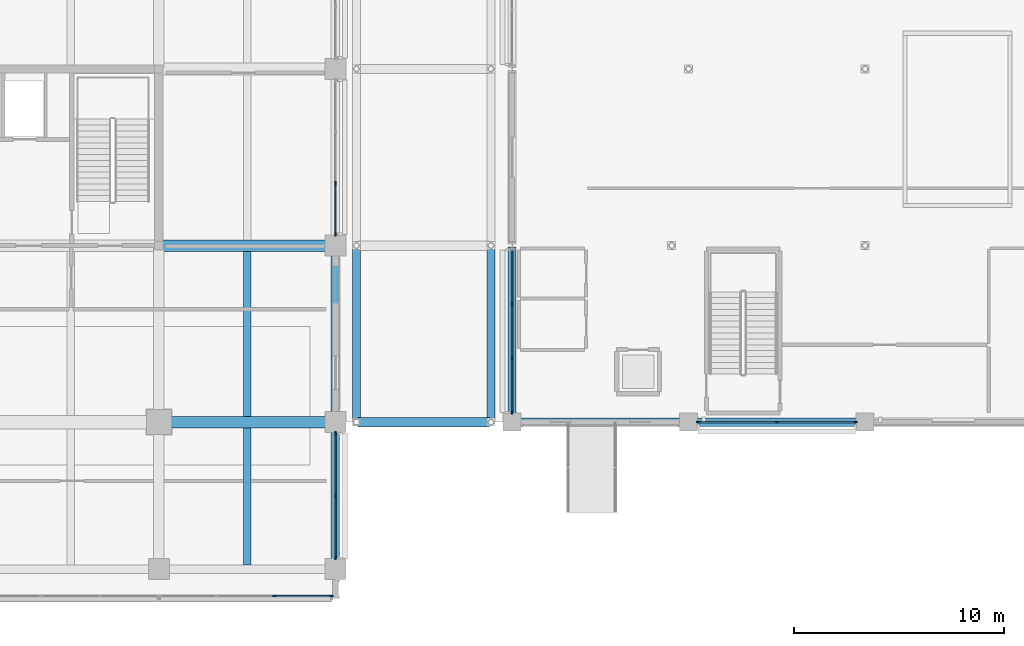
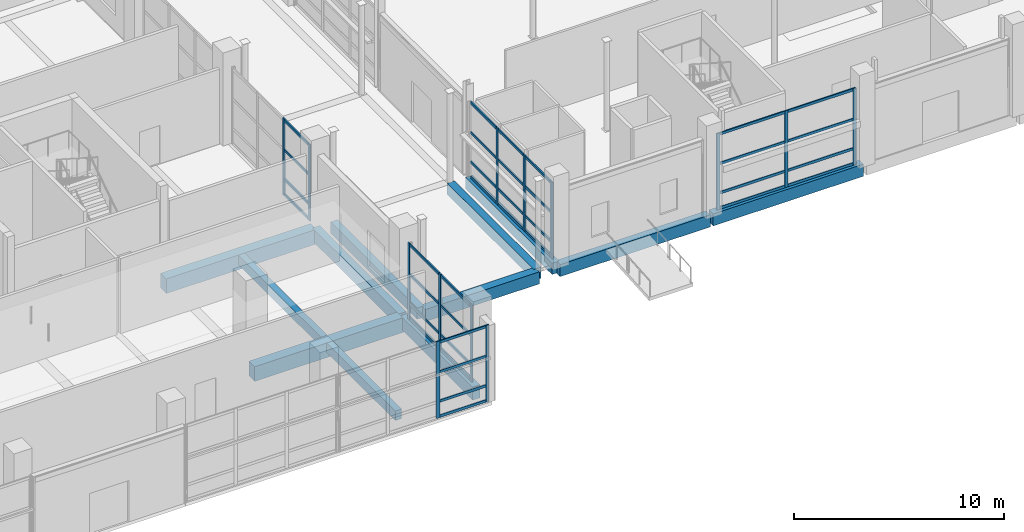
# One storey, part 31 of 140: 49 members, 12 beams, 5 elements without a shape of their own.
"""IFC4 building model written with IfcOpenShell, lengths in metres."""

from ifc_helpers import new_model, si_unit, direction, frame, origin, origin_2d, place, context, subcontext, project, spatial, rectangle, extrude, material, layer, layer_set, material_profile, profile_set, type_object, element, aggregate, save


model = new_model("IFC4")

# Units and contexts
model_context = context("Model", 3, precision=1e-05, world=origin(), true_north=direction((0.0, 1.0)))
body_context = subcontext(model_context, "Body", "Model", "MODEL_VIEW")
ifc_project = project(units=[si_unit("LENGTHUNIT", "METRE"), si_unit("AREAUNIT", "SQUARE_METRE"), si_unit("VOLUMEUNIT", "CUBIC_METRE"), si_unit("PLANEANGLEUNIT", "RADIAN"), si_unit("MASSUNIT", "GRAM", prefix="KILO")], contexts=[model_context])

# Site, building, storey
site_placement = place(None, origin())
site = spatial("IfcSite", under=ifc_project, at=site_placement, CompositionType="ELEMENT")
building_placement = place(site_placement, origin())
building = spatial("IfcBuilding", under=site, at=building_placement, Name="Telukmera Botanical Conservatory", CompositionType="ELEMENT")
storey_placement = place(building_placement, origin())
storey = spatial("IfcBuildingStorey", under=building, at=storey_placement, Name="L00", CompositionType="ELEMENT", Elevation=0.0)

# Beams
ifc_material_1 = material(Name="Concrete C40/50", Category="concrete")
ifc_material_profile_1 = material_profile(ifc_material_1, rectangle(XDim=0.449951171875, YDim=0.699951171875, at=origin_2d()), Name="RC 450x700")
ifc_profile_set_1 = profile_set([ifc_material_profile_1], Name="Concrete C40/50")
beam_type_1 = type_object("IfcBeamType", Name="Beam_B15", PredefinedType="BEAM", material=ifc_profile_set_1)
beam_1_placement = place(storey_placement, frame((110.280029296875, 17.60009765625, -0.35009765625), z_axis=(1.0, 0.0, 0.0), x_axis=(0.0, 1.0, 0.0)))
element("IfcBeam", 1, at=beam_1_placement, inside=storey, type_object=beam_type_1, Name="East Link Deck Transverse Beam L00", PredefinedType="BEAM", context=body_context, shape_type="SweptSolid", body=[
    extrude(rectangle(XDim=0.449951171875, YDim=0.699951171875, at=origin_2d()), origin(), (0.0, 0.0, 1.0), 6.239990234375),
])
ifc_material_profile_2 = material_profile(ifc_material_1, rectangle(XDim=0.35009765625, YDim=0.550048828125, at=origin_2d()), Name="RC 350x550")
ifc_profile_set_2 = profile_set([ifc_material_profile_2], Name="Concrete C40/50")
beam_type_2 = type_object("IfcBeamType", Name="Beam_B21", PredefinedType="JOIST", material=ifc_profile_set_2)
beam_2_placement = place(storey_placement, frame((105.0, 10.800048828125, -0.27490234375), z_axis=(0.0, 1.0, 0.0), x_axis=(-1.0, 0.0, 0.0)))
element("IfcBeam", 2, at=beam_2_placement, inside=storey, type_object=beam_type_2, Name="Tower Secondary Floor Joist L00", PredefinedType="JOIST", context=body_context, shape_type="SweptSolid", body=[
    extrude(rectangle(XDim=0.35009765625, YDim=0.550048828125, at=origin_2d()), origin(), (0.0, 0.0, 1.0), 6.52490234375),
])
beam_3_placement = place(storey_placement, frame((105.0, 17.875, -0.27490234375), z_axis=(0.0, 1.0, 0.0), x_axis=(-1.0, 0.0, 0.0)))
element("IfcBeam", 3, at=beam_3_placement, inside=storey, type_object=beam_type_2, Name="Tower Secondary Floor Joist L00", PredefinedType="JOIST", context=body_context, shape_type="SweptSolid", body=[
    extrude(rectangle(XDim=0.35009765625, YDim=0.550048828125, at=origin_2d()), origin(), (0.0, 0.0, 1.0), 7.85009765625),
])
ifc_material_profile_3 = material_profile(ifc_material_1, rectangle(XDim=0.550048828125, YDim=0.85009765625, at=origin_2d()), Name="RC 550x850")
ifc_profile_set_3 = profile_set([ifc_material_profile_3], Name="Concrete C40/50")
beam_type_3 = type_object("IfcBeamType", Name="Beam_B4", PredefinedType="BEAM", material=ifc_profile_set_3)
for number, where, z_axis, x_axis, name in (
    (4, (100.8798828125, 17.60009765625, -0.425048828125), (1.0, 0.0, 0.0), (0.0, 1.0, 0.0), "Tower Grid Beam L00"),
    (5, (100.8798828125, 26.0, -0.425048828125), (1.0, 0.0, 0.0), (0.0, 1.0, 0.0), "Tower Grid Beam L00"),
):
    element("IfcBeam", number, at=place(storey_placement, frame(where, z_axis=z_axis, x_axis=x_axis)), inside=storey, type_object=beam_type_3, Name=name, PredefinedType="BEAM", context=body_context, shape_type="SweptSolid", body=[
        extrude(rectangle(XDim=0.550048828125, YDim=0.85009765625, at=origin_2d()), origin(), (0.0, 0.0, 1.0), 8.240234375),
    ])
ifc_material_profile_4 = material_profile(ifc_material_1, rectangle(XDim=0.39990234375, YDim=0.699951171875, at=origin_2d()), Name="RC 400x700")
ifc_profile_set_4 = profile_set([ifc_material_profile_4], Name="Concrete C40/50")
beam_type_4 = type_object("IfcBeamType", Name="Beam_B7", PredefinedType="BEAM", material=ifc_profile_set_4)
for number, where, z_axis, x_axis, name in (
    (6, (117.679931640625, 17.60009765625, -0.35009765625), (1.0, 0.0, 0.0), (0.0, 1.0, 0.0), "Conservatory Beam beam:V1:L00:gx:176:1176"),
    (7, (126.080078125, 17.60009765625, -0.35009765625), (1.0, 0.0, 0.0), (0.0, 1.0, 0.0), "Conservatory Beam beam:V1:L00:gx:176:1260"),
):
    element("IfcBeam", number, at=place(storey_placement, frame(where, z_axis=z_axis, x_axis=x_axis)), inside=storey, type_object=beam_type_4, Name=name, PredefinedType="BEAM", context=body_context, shape_type="SweptSolid", body=[
        extrude(rectangle(XDim=0.39990234375, YDim=0.699951171875, at=origin_2d()), origin(), (0.0, 0.0, 1.0), 8.239990234375),
    ])
ifc_material_profile_5 = material_profile(ifc_material_1, rectangle(XDim=0.39990234375, YDim=0.64990234375, at=origin_2d()), Name="RC 400x650")
ifc_profile_set_5 = profile_set([ifc_material_profile_5], Name="Concrete C40/50")
beam_type_5 = type_object("IfcBeamType", Name="Beam_B8", PredefinedType="BEAM", material=ifc_profile_set_5)
for number, where, z_axis, x_axis, name in (
    (8, (110.199951171875, 17.679931640625, -0.324951171875), (0.0, 1.0, 0.0), (-1.0, 0.0, 0.0), "East Link Deck Girder L00"),
    (9, (116.60009765625, 17.679931640625, -0.324951171875), (0.0, 1.0, 0.0), (-1.0, 0.0, 0.0), "East Link Deck Girder L00"),
    (10, (117.60009765625, 17.679931640625, -0.324951171875), (0.0, 1.0, 0.0), (-1.0, 0.0, 0.0), "Conservatory Beam beam:V1:L00:gy:1176:176"),
):
    element("IfcBeam", number, at=place(storey_placement, frame(where, z_axis=z_axis, x_axis=x_axis)), inside=storey, type_object=beam_type_5, Name=name, PredefinedType="BEAM", context=body_context, shape_type="SweptSolid", body=[
        extrude(rectangle(XDim=0.39990234375, YDim=0.64990234375, at=origin_2d()), origin(), (0.0, 0.0, 1.0), 8.239990234375),
    ])
ifc_material_2 = material(Name="Precast concrete C40/50", Category="concrete")
ifc_material_profile_6 = material_profile(ifc_material_2, rectangle(XDim=0.39990234375, YDim=0.75, at=origin_2d()), Name="PC 400x750")
ifc_profile_set_6 = profile_set([ifc_material_profile_6], Name="Precast concrete C40/50")
beam_type_6 = type_object("IfcBeamType", Name="Beam_SP1", PredefinedType="SPANDREL", material=ifc_profile_set_6)
beam_4_placement = place(storey_placement, frame((109.199951171875, 10.679931640625, -0.375), z_axis=(0.0, 1.0, 0.0), x_axis=(-1.0, 0.0, 0.0)))
element("IfcBeam", 11, at=beam_4_placement, inside=storey, type_object=beam_type_6, Name="Tower Transverse Beam L00", PredefinedType="SPANDREL", context=body_context, shape_type="SweptSolid", body=[
    extrude(rectangle(XDim=0.39990234375, YDim=0.75, at=origin_2d()), origin(), (0.0, 0.0, 1.0), 6.840087890625),
])
beam_5_placement = place(storey_placement, frame((109.199951171875, 17.679931640625, -0.375), z_axis=(0.0, 1.0, 0.0), x_axis=(-1.0, 0.0, 0.0)))
element("IfcBeam", 12, at=beam_5_placement, inside=storey, type_object=beam_type_6, Name="Tower Transverse Beam L00", PredefinedType="SPANDREL", context=body_context, shape_type="SweptSolid", body=[
    extrude(rectangle(XDim=0.39990234375, YDim=0.75, at=origin_2d()), origin(), (0.0, 0.0, 1.0), 8.239990234375),
])

# Curtain wall, members
ifc_material_3 = material(Name="Anodised aluminium 6063-T6", Category="aluminium")
ifc_layer_1 = layer(ifc_material_3, 0.179931640625)
ifc_layer_set_1 = layer_set([ifc_layer_1], Name="Anodised aluminium 6063-T6")
curtain_wall_type_1 = type_object("IfcCurtainWallType", Name="Conservatory Boulevard Unitised Curtain Wall 3600 Mod", PredefinedType="USERDEFINED", material=ifc_layer_set_1)
curtain_wall_1_placement = place(storey_placement, origin())
curtain_wall_1 = element("IfcCurtainWall", 13, at=curtain_wall_1_placement, inside=storey, type_object=curtain_wall_type_1, Name="Unitised Curtain Wall CW01 V1:L00:S2", ObjectType="UNITISED CURTAIN WALL", PredefinedType="USERDEFINED")
ifc_material_profile_7 = material_profile(ifc_material_3, rectangle(XDim=0.070068359375, YDim=0.179931640625, at=origin_2d()), Name="ALU MULL 70x180")
ifc_profile_set_7 = profile_set([ifc_material_profile_7], Name="Anodised aluminium 6063-T6")
member_type_1 = type_object("IfcMemberType", Name="Curtain Wall Extruded Mullion 70x180", PredefinedType="MULLION", material=ifc_profile_set_7)
member_1_placement = place(storey_placement, frame((126.4619140625, 17.60009765625, 0.0), z_axis=(0.0, 0.0, 1.0), x_axis=(0.0, 1.0, 0.0)))
member_1 = element("IfcMember", 14, at=member_1_placement, type_object=member_type_1, Name="CW01 mullion 1", PredefinedType="MULLION", context=body_context, shape_type="SweptSolid", body=[
    extrude(rectangle(XDim=0.070068359375, YDim=0.179931640625, at=origin_2d()), origin(), (0.0, 0.0, 1.0), 4.449951171875),
])
member_2_placement = place(storey_placement, frame((130.199951171875, 17.60009765625, 0.0), z_axis=(0.0, 0.0, 1.0), x_axis=(0.0, 1.0, 0.0)))
member_2 = element("IfcMember", 15, at=member_2_placement, type_object=member_type_1, Name="CW01 mullion 2", PredefinedType="MULLION", context=body_context, shape_type="SweptSolid", body=[
    extrude(rectangle(XDim=0.070068359375, YDim=0.179931640625, at=origin_2d()), origin(), (0.0, 0.0, 1.0), 4.449951171875),
])
member_3_placement = place(storey_placement, frame((133.93798828125, 17.60009765625, 0.0), z_axis=(0.0, 0.0, 1.0), x_axis=(0.0, 1.0, 0.0)))
member_3 = element("IfcMember", 16, at=member_3_placement, type_object=member_type_1, Name="CW01 mullion 3", PredefinedType="MULLION", context=body_context, shape_type="SweptSolid", body=[
    extrude(rectangle(XDim=0.070068359375, YDim=0.179931640625, at=origin_2d()), origin(), (0.0, 0.0, 1.0), 4.449951171875),
])

ifc_layer_2 = layer(ifc_material_3, 0.179931640625)
ifc_layer_set_2 = layer_set([ifc_layer_2], Name="Anodised aluminium 6063-T6")
curtain_wall_type_2 = type_object("IfcCurtainWallType", Name="Conservatory Garden Unitised Curtain Wall 2800 Mod", PredefinedType="USERDEFINED", material=ifc_layer_set_2)
curtain_wall_2_placement = place(storey_placement, origin())
curtain_wall_2 = element("IfcCurtainWall", 17, at=curtain_wall_2_placement, inside=storey, type_object=curtain_wall_type_2, Name="Unitised Curtain Wall CW02 V1:L00:W1", ObjectType="UNITISED CURTAIN WALL", PredefinedType="USERDEFINED")
member_4_placement = place(storey_placement, frame((117.60009765625, 18.06201171875, 0.0), z_axis=(0.0, 0.0, 1.0), x_axis=(-1.0, 0.0, 0.0)))
member_4 = element("IfcMember", 18, at=member_4_placement, type_object=member_type_1, Name="CW02 mullion 1", PredefinedType="MULLION", context=body_context, shape_type="SweptSolid", body=[
    extrude(rectangle(XDim=0.070068359375, YDim=0.179931640625, at=origin_2d()), origin(), (0.0, 0.0, 1.0), 4.449951171875),
])
member_5_placement = place(storey_placement, frame((117.60009765625, 20.62255859375, 0.0), z_axis=(0.0, 0.0, 1.0), x_axis=(-1.0, 0.0, 0.0)))
member_5 = element("IfcMember", 19, at=member_5_placement, type_object=member_type_1, Name="CW02 mullion 2", PredefinedType="MULLION", context=body_context, shape_type="SweptSolid", body=[
    extrude(rectangle(XDim=0.070068359375, YDim=0.179931640625, at=origin_2d()), origin(), (0.0, 0.0, 1.0), 4.449951171875),
])
member_6_placement = place(storey_placement, frame((117.60009765625, 23.21826171875, 0.0), z_axis=(0.0, 0.0, 1.0), x_axis=(-1.0, 0.0, 0.0)))
member_6 = element("IfcMember", 20, at=member_6_placement, type_object=member_type_1, Name="CW02 mullion 3", PredefinedType="MULLION", context=body_context, shape_type="SweptSolid", body=[
    extrude(rectangle(XDim=0.070068359375, YDim=0.179931640625, at=origin_2d()), origin(), (0.0, 0.0, 1.0), 4.449951171875),
])

ifc_layer_3 = layer(ifc_material_3, 0.179931640625)
ifc_layer_set_3 = layer_set([ifc_layer_3], Name="Anodised aluminium 6063-T6")
curtain_wall_type_3 = type_object("IfcCurtainWallType", Name="Tower Boulevard Podium Hall Curtain Wall", PredefinedType="USERDEFINED", material=ifc_layer_set_3)
curtain_wall_3_placement = place(storey_placement, origin())
curtain_wall_3 = element("IfcCurtainWall", 21, at=curtain_wall_3_placement, inside=storey, type_object=curtain_wall_type_3, Name="Unitised Curtain Wall CW12 V4:L00:S7", ObjectType="UNITISED CURTAIN WALL", PredefinedType="USERDEFINED")
member_7_placement = place(storey_placement, frame((106.29931640625, 9.320068359375, 0.0), z_axis=(0.0, 0.0, 1.0), x_axis=(0.0, 1.0, 0.0)))
member_7 = element("IfcMember", 22, at=member_7_placement, type_object=member_type_1, Name="CW12 mullion 3", PredefinedType="MULLION", context=body_context, shape_type="SweptSolid", body=[
    extrude(rectangle(XDim=0.070068359375, YDim=0.179931640625, at=origin_2d()), origin(), (0.0, 0.0, 1.0), 4.449951171875),
])
member_8_placement = place(storey_placement, frame((109.012939453125, 9.320068359375, 0.0), z_axis=(0.0, 0.0, 1.0), x_axis=(0.0, 1.0, 0.0)))
member_8 = element("IfcMember", 23, at=member_8_placement, type_object=member_type_1, Name="CW12 mullion 4", PredefinedType="MULLION", context=body_context, shape_type="SweptSolid", body=[
    extrude(rectangle(XDim=0.070068359375, YDim=0.179931640625, at=origin_2d()), origin(), (0.0, 0.0, 1.0), 4.449951171875),
])

curtain_wall_4_placement = place(storey_placement, origin())
curtain_wall_4 = element("IfcCurtainWall", 24, at=curtain_wall_4_placement, inside=storey, type_object=curtain_wall_type_3, Name="Unitised Curtain Wall CW12 V4:L00:E1", ObjectType="UNITISED CURTAIN WALL", PredefinedType="USERDEFINED")
member_9_placement = place(storey_placement, frame((109.199951171875, 11.136962890625, 0.0), z_axis=(0.0, 0.0, 1.0), x_axis=(-1.0, 0.0, 0.0)))
member_9 = element("IfcMember", 25, at=member_9_placement, type_object=member_type_1, Name="CW12 mullion 1", PredefinedType="MULLION", context=body_context, shape_type="SweptSolid", body=[
    extrude(rectangle(XDim=0.070068359375, YDim=0.179931640625, at=origin_2d()), origin(), (0.0, 0.0, 1.0), 4.449951171875),
])
member_10_placement = place(storey_placement, frame((109.199951171875, 14.10009765625, 0.0), z_axis=(0.0, 0.0, 1.0), x_axis=(-1.0, 0.0, 0.0)))
member_10 = element("IfcMember", 26, at=member_10_placement, type_object=member_type_1, Name="CW12 mullion 2", PredefinedType="MULLION", context=body_context, shape_type="SweptSolid", body=[
    extrude(rectangle(XDim=0.070068359375, YDim=0.179931640625, at=origin_2d()), origin(), (0.0, 0.0, 1.0), 4.449951171875),
])
member_11_placement = place(storey_placement, frame((109.199951171875, 17.06298828125, 0.0), z_axis=(0.0, 0.0, 1.0), x_axis=(-1.0, 0.0, 0.0)))
member_11 = element("IfcMember", 27, at=member_11_placement, type_object=member_type_1, Name="CW12 mullion 3", PredefinedType="MULLION", context=body_context, shape_type="SweptSolid", body=[
    extrude(rectangle(XDim=0.070068359375, YDim=0.179931640625, at=origin_2d()), origin(), (0.0, 0.0, 1.0), 4.449951171875),
])

curtain_wall_5_placement = place(storey_placement, origin())
curtain_wall_5 = element("IfcCurtainWall", 28, at=curtain_wall_5_placement, inside=storey, type_object=curtain_wall_type_3, Name="Unitised Curtain Wall CW12 V4:L00:E3", ObjectType="UNITISED CURTAIN WALL", PredefinedType="USERDEFINED")
member_12_placement = place(storey_placement, frame((109.199951171875, 26.537109375, 0.0), z_axis=(0.0, 0.0, 1.0), x_axis=(-1.0, 0.0, 0.0)))
member_12 = element("IfcMember", 29, at=member_12_placement, type_object=member_type_1, Name="CW12 mullion 1", PredefinedType="MULLION", context=body_context, shape_type="SweptSolid", body=[
    extrude(rectangle(XDim=0.070068359375, YDim=0.179931640625, at=origin_2d()), origin(), (0.0, 0.0, 1.0), 4.449951171875),
])
member_13_placement = place(storey_placement, frame((109.199951171875, 28.96728515625, 0.0), z_axis=(0.0, 0.0, 1.0), x_axis=(-1.0, 0.0, 0.0)))
member_13 = element("IfcMember", 30, at=member_13_placement, type_object=member_type_1, Name="CW12 mullion 2", PredefinedType="MULLION", context=body_context, shape_type="SweptSolid", body=[
    extrude(rectangle(XDim=0.070068359375, YDim=0.179931640625, at=origin_2d()), origin(), (0.0, 0.0, 1.0), 4.449951171875),
])

# Member
ifc_material_profile_8 = material_profile(ifc_material_3, rectangle(XDim=0.070068359375, YDim=0.14990234375, at=origin_2d()), Name="ALU TRAN 70x150")
ifc_profile_set_8 = profile_set([ifc_material_profile_8], Name="Anodised aluminium 6063-T6")
member_type_2 = type_object("IfcMemberType", Name="Curtain Wall Extruded Transom 70x150", PredefinedType="USERDEFINED", material=ifc_profile_set_8)
member_14_placement = place(storey_placement, frame((126.4970703125, 17.60009765625, 0.074951171875), z_axis=(1.0, 0.0, 0.0), x_axis=(0.0, 1.0, 0.0)))
member_14 = element("IfcMember", 31, at=member_14_placement, type_object=member_type_2, Name="CW01 transom 1.1", ObjectType="TRANSOM", PredefinedType="USERDEFINED", context=body_context, shape_type="SweptSolid", body=[
    extrude(rectangle(XDim=0.070068359375, YDim=0.14990234375, at=origin_2d()), origin(), (0.0, 0.0, 1.0), 3.66796875),
])

member_15_placement = place(storey_placement, frame((126.4970703125, 17.60009765625, 0.949951171875), z_axis=(1.0, 0.0, 0.0), x_axis=(0.0, 1.0, 0.0)))
member_15 = element("IfcMember", 32, at=member_15_placement, type_object=member_type_2, Name="CW01 transom 1.2", ObjectType="TRANSOM", PredefinedType="USERDEFINED", context=body_context, shape_type="SweptSolid", body=[
    extrude(rectangle(XDim=0.070068359375, YDim=0.14990234375, at=origin_2d()), origin(), (0.0, 0.0, 1.0), 3.66796875),
])

member_16_placement = place(storey_placement, frame((126.4970703125, 17.60009765625, 2.64990234375), z_axis=(1.0, 0.0, 0.0), x_axis=(0.0, 1.0, 0.0)))
member_16 = element("IfcMember", 33, at=member_16_placement, type_object=member_type_2, Name="CW01 transom 1.3", ObjectType="TRANSOM", PredefinedType="USERDEFINED", context=body_context, shape_type="SweptSolid", body=[
    extrude(rectangle(XDim=0.070068359375, YDim=0.14990234375, at=origin_2d()), origin(), (0.0, 0.0, 1.0), 3.66796875),
])

member_17_placement = place(storey_placement, frame((126.4970703125, 17.60009765625, 4.375), z_axis=(1.0, 0.0, 0.0), x_axis=(0.0, 1.0, 0.0)))
member_17 = element("IfcMember", 34, at=member_17_placement, type_object=member_type_2, Name="CW01 transom 1.4", ObjectType="TRANSOM", PredefinedType="USERDEFINED", context=body_context, shape_type="SweptSolid", body=[
    extrude(rectangle(XDim=0.070068359375, YDim=0.14990234375, at=origin_2d()), origin(), (0.0, 0.0, 1.0), 3.66796875),
])

member_18_placement = place(storey_placement, frame((130.235107421875, 17.60009765625, 0.074951171875), z_axis=(1.0, 0.0, 0.0), x_axis=(0.0, 1.0, 0.0)))
member_18 = element("IfcMember", 35, at=member_18_placement, type_object=member_type_2, Name="CW01 transom 2.1", ObjectType="TRANSOM", PredefinedType="USERDEFINED", context=body_context, shape_type="SweptSolid", body=[
    extrude(rectangle(XDim=0.070068359375, YDim=0.14990234375, at=origin_2d()), origin(), (0.0, 0.0, 1.0), 3.66796875),
])

member_19_placement = place(storey_placement, frame((130.235107421875, 17.60009765625, 0.949951171875), z_axis=(1.0, 0.0, 0.0), x_axis=(0.0, 1.0, 0.0)))
member_19 = element("IfcMember", 36, at=member_19_placement, type_object=member_type_2, Name="CW01 transom 2.2", ObjectType="TRANSOM", PredefinedType="USERDEFINED", context=body_context, shape_type="SweptSolid", body=[
    extrude(rectangle(XDim=0.070068359375, YDim=0.14990234375, at=origin_2d()), origin(), (0.0, 0.0, 1.0), 3.66796875),
])

member_20_placement = place(storey_placement, frame((130.235107421875, 17.60009765625, 2.64990234375), z_axis=(1.0, 0.0, 0.0), x_axis=(0.0, 1.0, 0.0)))
member_20 = element("IfcMember", 37, at=member_20_placement, type_object=member_type_2, Name="CW01 transom 2.3", ObjectType="TRANSOM", PredefinedType="USERDEFINED", context=body_context, shape_type="SweptSolid", body=[
    extrude(rectangle(XDim=0.070068359375, YDim=0.14990234375, at=origin_2d()), origin(), (0.0, 0.0, 1.0), 3.66796875),
])

member_21_placement = place(storey_placement, frame((130.235107421875, 17.60009765625, 4.375), z_axis=(1.0, 0.0, 0.0), x_axis=(0.0, 1.0, 0.0)))
member_21 = element("IfcMember", 38, at=member_21_placement, type_object=member_type_2, Name="CW01 transom 2.4", ObjectType="TRANSOM", PredefinedType="USERDEFINED", context=body_context, shape_type="SweptSolid", body=[
    extrude(rectangle(XDim=0.070068359375, YDim=0.14990234375, at=origin_2d()), origin(), (0.0, 0.0, 1.0), 3.66796875),
])

aggregate(curtain_wall_1, [member_1, member_2, member_3, member_14, member_15, member_16, member_17, member_18, member_19, member_20, member_21])

member_22_placement = place(storey_placement, frame((117.60009765625, 18.096923828125, 0.074951171875), z_axis=(0.0, 1.0, 0.0), x_axis=(-1.0, 0.0, 0.0)))
member_22 = element("IfcMember", 39, at=member_22_placement, type_object=member_type_2, Name="CW02 transom 1.1", ObjectType="TRANSOM", PredefinedType="USERDEFINED", context=body_context, shape_type="SweptSolid", body=[
    extrude(rectangle(XDim=0.070068359375, YDim=0.14990234375, at=origin_2d()), origin(), (0.0, 0.0, 1.0), 2.49072265625),
])

member_23_placement = place(storey_placement, frame((117.60009765625, 18.096923828125, 0.949951171875), z_axis=(0.0, 1.0, 0.0), x_axis=(-1.0, 0.0, 0.0)))
member_23 = element("IfcMember", 40, at=member_23_placement, type_object=member_type_2, Name="CW02 transom 1.2", ObjectType="TRANSOM", PredefinedType="USERDEFINED", context=body_context, shape_type="SweptSolid", body=[
    extrude(rectangle(XDim=0.070068359375, YDim=0.14990234375, at=origin_2d()), origin(), (0.0, 0.0, 1.0), 2.49072265625),
])

member_24_placement = place(storey_placement, frame((117.60009765625, 18.096923828125, 2.64990234375), z_axis=(0.0, 1.0, 0.0), x_axis=(-1.0, 0.0, 0.0)))
member_24 = element("IfcMember", 41, at=member_24_placement, type_object=member_type_2, Name="CW02 transom 1.3", ObjectType="TRANSOM", PredefinedType="USERDEFINED", context=body_context, shape_type="SweptSolid", body=[
    extrude(rectangle(XDim=0.070068359375, YDim=0.14990234375, at=origin_2d()), origin(), (0.0, 0.0, 1.0), 2.49072265625),
])

member_25_placement = place(storey_placement, frame((117.60009765625, 18.096923828125, 4.375), z_axis=(0.0, 1.0, 0.0), x_axis=(-1.0, 0.0, 0.0)))
member_25 = element("IfcMember", 42, at=member_25_placement, type_object=member_type_2, Name="CW02 transom 1.4", ObjectType="TRANSOM", PredefinedType="USERDEFINED", context=body_context, shape_type="SweptSolid", body=[
    extrude(rectangle(XDim=0.070068359375, YDim=0.14990234375, at=origin_2d()), origin(), (0.0, 0.0, 1.0), 2.49072265625),
])

member_26_placement = place(storey_placement, frame((117.60009765625, 20.65771484375, 0.074951171875), z_axis=(0.0, 1.0, 0.0), x_axis=(-1.0, 0.0, 0.0)))
member_26 = element("IfcMember", 43, at=member_26_placement, type_object=member_type_2, Name="CW02 transom 2.1", ObjectType="TRANSOM", PredefinedType="USERDEFINED", context=body_context, shape_type="SweptSolid", body=[
    extrude(rectangle(XDim=0.070068359375, YDim=0.14990234375, at=origin_2d()), origin(), (0.0, 0.0, 1.0), 2.525634765625),
])

member_27_placement = place(storey_placement, frame((117.60009765625, 20.65771484375, 0.949951171875), z_axis=(0.0, 1.0, 0.0), x_axis=(-1.0, 0.0, 0.0)))
member_27 = element("IfcMember", 44, at=member_27_placement, type_object=member_type_2, Name="CW02 transom 2.2", ObjectType="TRANSOM", PredefinedType="USERDEFINED", context=body_context, shape_type="SweptSolid", body=[
    extrude(rectangle(XDim=0.070068359375, YDim=0.14990234375, at=origin_2d()), origin(), (0.0, 0.0, 1.0), 2.525634765625),
])

member_28_placement = place(storey_placement, frame((117.60009765625, 20.65771484375, 2.64990234375), z_axis=(0.0, 1.0, 0.0), x_axis=(-1.0, 0.0, 0.0)))
member_28 = element("IfcMember", 45, at=member_28_placement, type_object=member_type_2, Name="CW02 transom 2.3", ObjectType="TRANSOM", PredefinedType="USERDEFINED", context=body_context, shape_type="SweptSolid", body=[
    extrude(rectangle(XDim=0.070068359375, YDim=0.14990234375, at=origin_2d()), origin(), (0.0, 0.0, 1.0), 2.525634765625),
])

member_29_placement = place(storey_placement, frame((117.60009765625, 20.65771484375, 4.375), z_axis=(0.0, 1.0, 0.0), x_axis=(-1.0, 0.0, 0.0)))
member_29 = element("IfcMember", 46, at=member_29_placement, type_object=member_type_2, Name="CW02 transom 2.4", ObjectType="TRANSOM", PredefinedType="USERDEFINED", context=body_context, shape_type="SweptSolid", body=[
    extrude(rectangle(XDim=0.070068359375, YDim=0.14990234375, at=origin_2d()), origin(), (0.0, 0.0, 1.0), 2.525634765625),
])

member_30_placement = place(storey_placement, frame((117.60009765625, 23.253173828125, 0.074951171875), z_axis=(0.0, 1.0, 0.0), x_axis=(-1.0, 0.0, 0.0)))
member_30 = element("IfcMember", 47, at=member_30_placement, type_object=member_type_2, Name="CW02 transom 3.1", ObjectType="TRANSOM", PredefinedType="USERDEFINED", context=body_context, shape_type="SweptSolid", body=[
    extrude(rectangle(XDim=0.070068359375, YDim=0.14990234375, at=origin_2d()), origin(), (0.0, 0.0, 1.0), 2.49072265625),
])

member_31_placement = place(storey_placement, frame((117.60009765625, 23.253173828125, 0.949951171875), z_axis=(0.0, 1.0, 0.0), x_axis=(-1.0, 0.0, 0.0)))
member_31 = element("IfcMember", 48, at=member_31_placement, type_object=member_type_2, Name="CW02 transom 3.2", ObjectType="TRANSOM", PredefinedType="USERDEFINED", context=body_context, shape_type="SweptSolid", body=[
    extrude(rectangle(XDim=0.070068359375, YDim=0.14990234375, at=origin_2d()), origin(), (0.0, 0.0, 1.0), 2.49072265625),
])

member_32_placement = place(storey_placement, frame((117.60009765625, 23.253173828125, 2.64990234375), z_axis=(0.0, 1.0, 0.0), x_axis=(-1.0, 0.0, 0.0)))
member_32 = element("IfcMember", 49, at=member_32_placement, type_object=member_type_2, Name="CW02 transom 3.3", ObjectType="TRANSOM", PredefinedType="USERDEFINED", context=body_context, shape_type="SweptSolid", body=[
    extrude(rectangle(XDim=0.070068359375, YDim=0.14990234375, at=origin_2d()), origin(), (0.0, 0.0, 1.0), 2.49072265625),
])

member_33_placement = place(storey_placement, frame((117.60009765625, 23.253173828125, 4.375), z_axis=(0.0, 1.0, 0.0), x_axis=(-1.0, 0.0, 0.0)))
member_33 = element("IfcMember", 50, at=member_33_placement, type_object=member_type_2, Name="CW02 transom 3.4", ObjectType="TRANSOM", PredefinedType="USERDEFINED", context=body_context, shape_type="SweptSolid", body=[
    extrude(rectangle(XDim=0.070068359375, YDim=0.14990234375, at=origin_2d()), origin(), (0.0, 0.0, 1.0), 2.49072265625),
])

aggregate(curtain_wall_2, [member_4, member_5, member_6, member_22, member_23, member_24, member_25, member_26, member_27, member_28, member_29, member_30, member_31, member_32, member_33])

member_34_placement = place(storey_placement, frame((106.334228515625, 9.320068359375, 0.074951171875), z_axis=(1.0, 0.0, 0.0), x_axis=(0.0, 1.0, 0.0)))
member_34 = element("IfcMember", 51, at=member_34_placement, type_object=member_type_2, Name="CW12 transom 3.1", ObjectType="TRANSOM", PredefinedType="USERDEFINED", context=body_context, shape_type="SweptSolid", body=[
    extrude(rectangle(XDim=0.070068359375, YDim=0.14990234375, at=origin_2d()), origin(), (0.0, 0.0, 1.0), 2.643798828125),
])

member_35_placement = place(storey_placement, frame((106.334228515625, 9.320068359375, 0.949951171875), z_axis=(1.0, 0.0, 0.0), x_axis=(0.0, 1.0, 0.0)))
member_35 = element("IfcMember", 52, at=member_35_placement, type_object=member_type_2, Name="CW12 transom 3.2", ObjectType="TRANSOM", PredefinedType="USERDEFINED", context=body_context, shape_type="SweptSolid", body=[
    extrude(rectangle(XDim=0.070068359375, YDim=0.14990234375, at=origin_2d()), origin(), (0.0, 0.0, 1.0), 2.643798828125),
])

member_36_placement = place(storey_placement, frame((106.334228515625, 9.320068359375, 2.64990234375), z_axis=(1.0, 0.0, 0.0), x_axis=(0.0, 1.0, 0.0)))
member_36 = element("IfcMember", 53, at=member_36_placement, type_object=member_type_2, Name="CW12 transom 3.3", ObjectType="TRANSOM", PredefinedType="USERDEFINED", context=body_context, shape_type="SweptSolid", body=[
    extrude(rectangle(XDim=0.070068359375, YDim=0.14990234375, at=origin_2d()), origin(), (0.0, 0.0, 1.0), 2.643798828125),
])

member_37_placement = place(storey_placement, frame((106.334228515625, 9.320068359375, 4.375), z_axis=(1.0, 0.0, 0.0), x_axis=(0.0, 1.0, 0.0)))
member_37 = element("IfcMember", 54, at=member_37_placement, type_object=member_type_2, Name="CW12 transom 3.4", ObjectType="TRANSOM", PredefinedType="USERDEFINED", context=body_context, shape_type="SweptSolid", body=[
    extrude(rectangle(XDim=0.070068359375, YDim=0.14990234375, at=origin_2d()), origin(), (0.0, 0.0, 1.0), 2.643798828125),
])

aggregate(curtain_wall_3, [member_7, member_8, member_34, member_35, member_36, member_37])

member_38_placement = place(storey_placement, frame((109.199951171875, 11.172119140625, 0.074951171875), z_axis=(0.0, 1.0, 0.0), x_axis=(-1.0, 0.0, 0.0)))
member_38 = element("IfcMember", 55, at=member_38_placement, type_object=member_type_2, Name="CW12 transom 1.1", ObjectType="TRANSOM", PredefinedType="USERDEFINED", context=body_context, shape_type="SweptSolid", body=[
    extrude(rectangle(XDim=0.070068359375, YDim=0.14990234375, at=origin_2d()), origin(), (0.0, 0.0, 1.0), 2.892822265625),
])

member_39_placement = place(storey_placement, frame((109.199951171875, 11.172119140625, 0.949951171875), z_axis=(0.0, 1.0, 0.0), x_axis=(-1.0, 0.0, 0.0)))
member_39 = element("IfcMember", 56, at=member_39_placement, type_object=member_type_2, Name="CW12 transom 1.2", ObjectType="TRANSOM", PredefinedType="USERDEFINED", context=body_context, shape_type="SweptSolid", body=[
    extrude(rectangle(XDim=0.070068359375, YDim=0.14990234375, at=origin_2d()), origin(), (0.0, 0.0, 1.0), 2.892822265625),
])

member_40_placement = place(storey_placement, frame((109.199951171875, 11.172119140625, 2.64990234375), z_axis=(0.0, 1.0, 0.0), x_axis=(-1.0, 0.0, 0.0)))
member_40 = element("IfcMember", 57, at=member_40_placement, type_object=member_type_2, Name="CW12 transom 1.3", ObjectType="TRANSOM", PredefinedType="USERDEFINED", context=body_context, shape_type="SweptSolid", body=[
    extrude(rectangle(XDim=0.070068359375, YDim=0.14990234375, at=origin_2d()), origin(), (0.0, 0.0, 1.0), 2.892822265625),
])

member_41_placement = place(storey_placement, frame((109.199951171875, 11.172119140625, 4.375), z_axis=(0.0, 1.0, 0.0), x_axis=(-1.0, 0.0, 0.0)))
member_41 = element("IfcMember", 58, at=member_41_placement, type_object=member_type_2, Name="CW12 transom 1.4", ObjectType="TRANSOM", PredefinedType="USERDEFINED", context=body_context, shape_type="SweptSolid", body=[
    extrude(rectangle(XDim=0.070068359375, YDim=0.14990234375, at=origin_2d()), origin(), (0.0, 0.0, 1.0), 2.892822265625),
])

member_42_placement = place(storey_placement, frame((109.199951171875, 14.135009765625, 0.074951171875), z_axis=(0.0, 1.0, 0.0), x_axis=(-1.0, 0.0, 0.0)))
member_42 = element("IfcMember", 59, at=member_42_placement, type_object=member_type_2, Name="CW12 transom 2.1", ObjectType="TRANSOM", PredefinedType="USERDEFINED", context=body_context, shape_type="SweptSolid", body=[
    extrude(rectangle(XDim=0.070068359375, YDim=0.14990234375, at=origin_2d()), origin(), (0.0, 0.0, 1.0), 2.89306640625),
])

member_43_placement = place(storey_placement, frame((109.199951171875, 14.135009765625, 0.949951171875), z_axis=(0.0, 1.0, 0.0), x_axis=(-1.0, 0.0, 0.0)))
member_43 = element("IfcMember", 60, at=member_43_placement, type_object=member_type_2, Name="CW12 transom 2.2", ObjectType="TRANSOM", PredefinedType="USERDEFINED", context=body_context, shape_type="SweptSolid", body=[
    extrude(rectangle(XDim=0.070068359375, YDim=0.14990234375, at=origin_2d()), origin(), (0.0, 0.0, 1.0), 2.89306640625),
])

member_44_placement = place(storey_placement, frame((109.199951171875, 14.135009765625, 2.64990234375), z_axis=(0.0, 1.0, 0.0), x_axis=(-1.0, 0.0, 0.0)))
member_44 = element("IfcMember", 61, at=member_44_placement, type_object=member_type_2, Name="CW12 transom 2.3", ObjectType="TRANSOM", PredefinedType="USERDEFINED", context=body_context, shape_type="SweptSolid", body=[
    extrude(rectangle(XDim=0.070068359375, YDim=0.14990234375, at=origin_2d()), origin(), (0.0, 0.0, 1.0), 2.89306640625),
])

member_45_placement = place(storey_placement, frame((109.199951171875, 14.135009765625, 4.375), z_axis=(0.0, 1.0, 0.0), x_axis=(-1.0, 0.0, 0.0)))
member_45 = element("IfcMember", 62, at=member_45_placement, type_object=member_type_2, Name="CW12 transom 2.4", ObjectType="TRANSOM", PredefinedType="USERDEFINED", context=body_context, shape_type="SweptSolid", body=[
    extrude(rectangle(XDim=0.070068359375, YDim=0.14990234375, at=origin_2d()), origin(), (0.0, 0.0, 1.0), 2.89306640625),
])

aggregate(curtain_wall_4, [member_9, member_10, member_11, member_38, member_39, member_40, member_41, member_42, member_43, member_44, member_45])

member_46_placement = place(storey_placement, frame((109.199951171875, 26.572021484375, 0.074951171875), z_axis=(0.0, 1.0, 0.0), x_axis=(-1.0, 0.0, 0.0)))
member_46 = element("IfcMember", 63, at=member_46_placement, type_object=member_type_2, Name="CW12 transom 1.1", ObjectType="TRANSOM", PredefinedType="USERDEFINED", context=body_context, shape_type="SweptSolid", body=[
    extrude(rectangle(XDim=0.070068359375, YDim=0.14990234375, at=origin_2d()), origin(), (0.0, 0.0, 1.0), 2.3603515625),
])

member_47_placement = place(storey_placement, frame((109.199951171875, 26.572021484375, 0.949951171875), z_axis=(0.0, 1.0, 0.0), x_axis=(-1.0, 0.0, 0.0)))
member_47 = element("IfcMember", 64, at=member_47_placement, type_object=member_type_2, Name="CW12 transom 1.2", ObjectType="TRANSOM", PredefinedType="USERDEFINED", context=body_context, shape_type="SweptSolid", body=[
    extrude(rectangle(XDim=0.070068359375, YDim=0.14990234375, at=origin_2d()), origin(), (0.0, 0.0, 1.0), 2.3603515625),
])

member_48_placement = place(storey_placement, frame((109.199951171875, 26.572021484375, 2.64990234375), z_axis=(0.0, 1.0, 0.0), x_axis=(-1.0, 0.0, 0.0)))
member_48 = element("IfcMember", 65, at=member_48_placement, type_object=member_type_2, Name="CW12 transom 1.3", ObjectType="TRANSOM", PredefinedType="USERDEFINED", context=body_context, shape_type="SweptSolid", body=[
    extrude(rectangle(XDim=0.070068359375, YDim=0.14990234375, at=origin_2d()), origin(), (0.0, 0.0, 1.0), 2.3603515625),
])

member_49_placement = place(storey_placement, frame((109.199951171875, 26.572021484375, 4.375), z_axis=(0.0, 1.0, 0.0), x_axis=(-1.0, 0.0, 0.0)))
member_49 = element("IfcMember", 66, at=member_49_placement, type_object=member_type_2, Name="CW12 transom 1.4", ObjectType="TRANSOM", PredefinedType="USERDEFINED", context=body_context, shape_type="SweptSolid", body=[
    extrude(rectangle(XDim=0.070068359375, YDim=0.14990234375, at=origin_2d()), origin(), (0.0, 0.0, 1.0), 2.3603515625),
])

aggregate(curtain_wall_5, [member_12, member_13, member_46, member_47, member_48, member_49])

save(model, "model.ifc")
